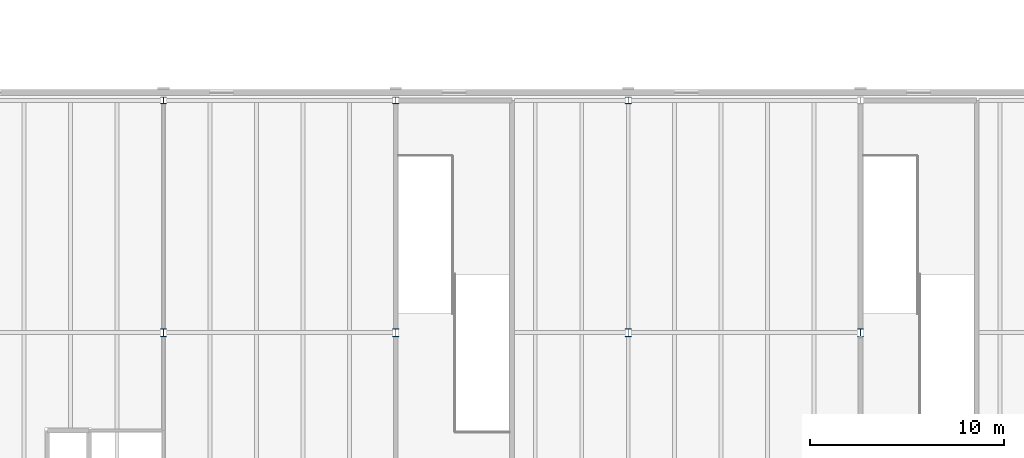
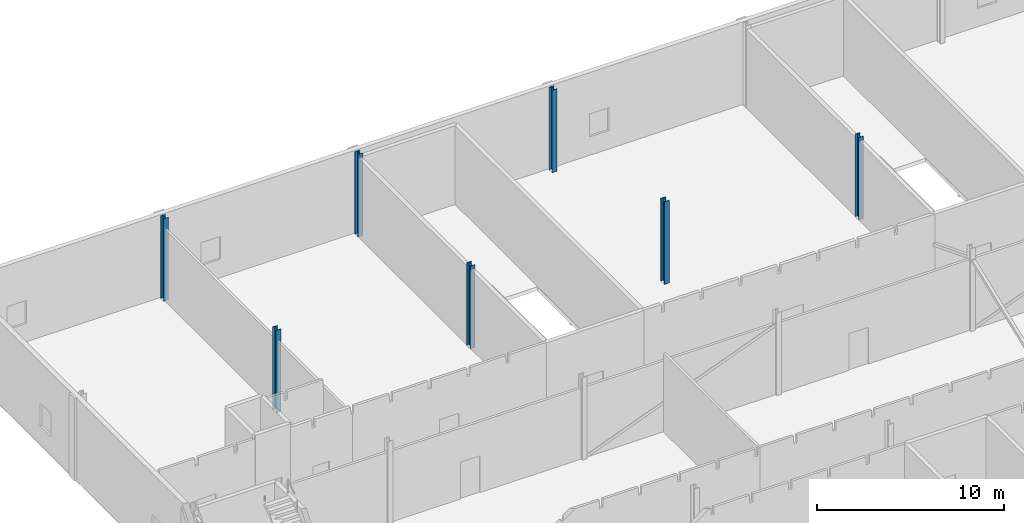
# One storey, part 5 of 321: 7 columns.
"""IFC4 building model written with IfcOpenShell, lengths in metres."""

from ifc_helpers import new_model, si_unit, direction, frame, origin, origin_2d, place, context, subcontext, project, spatial, i_section, extrude, material, material_profile, profile_set, type_object, element, save


model = new_model("IFC4")

# Units and contexts
model_context = context("Model", 3, precision=1e-05, world=origin(), true_north=direction((0.0, 1.0)))
body_context = subcontext(model_context, "Body", "Model", "MODEL_VIEW")
ifc_project = project(units=[si_unit("LENGTHUNIT", "METRE"), si_unit("AREAUNIT", "SQUARE_METRE"), si_unit("VOLUMEUNIT", "CUBIC_METRE"), si_unit("PLANEANGLEUNIT", "RADIAN"), si_unit("MASSUNIT", "GRAM", prefix="KILO")], contexts=[model_context])

# Site, building, storey
site_placement = place(None, origin())
site = spatial("IfcSite", under=ifc_project, at=site_placement, CompositionType="ELEMENT")
building_placement = place(site_placement, origin())
building = spatial("IfcBuilding", under=site, at=building_placement, Name="Ravi Spectrum Wholesale Market", CompositionType="ELEMENT")
storey_placement = place(building_placement, frame((0.0, 0.0, 10.800048828125)))
storey = spatial("IfcBuildingStorey", under=building, at=storey_placement, Name="L02", CompositionType="ELEMENT", Elevation=10.800048828125)

# Columns
ifc_material_1 = material(Name="Steel S355", Category="steel")
ifc_material_profile_1 = material_profile(ifc_material_1, i_section(OverallWidth=0.300048828125, OverallDepth=0.340087890625, WebThickness=0.011962890625, FlangeThickness=0.021484375, at=origin_2d()))
ifc_profile_set_1 = profile_set([ifc_material_profile_1], Name="Steel S355")
column_type_1 = type_object("IfcColumnType", Name="HEB 340 column", PredefinedType="COLUMN", material=ifc_profile_set_1)
for number, where, z_axis, x_axis, name in (
    (1, (210.0, 66.0, 0.0), (0.0, 0.0, 1.0), (1.0, 0.0, 0.0), "CS-COL-L02-010"),
    (2, (222.0, 66.0, 0.0), (0.0, 0.0, 1.0), (1.0, 0.0, 0.0), "CS-COL-L02-015"),
    (3, (234.0, 66.0, 0.0), (0.0, 0.0, 1.0), (1.0, 0.0, 0.0), "CS-COL-L02-020"),
):
    element("IfcColumn", number, at=place(storey_placement, frame(where, z_axis=z_axis, x_axis=x_axis)), inside=storey, type_object=column_type_1, Name=name, PredefinedType="COLUMN", context=body_context, shape_type="SweptSolid", body=[
        extrude(i_section(OverallWidth=0.300048828125, OverallDepth=0.340087890625, WebThickness=0.011962890625, FlangeThickness=0.021484375, at=origin_2d()), origin(), (0.0, 0.0, 1.0), 5.39990234375),
    ])
ifc_material_2 = material(Name="Steel S355", Category="steel")
ifc_material_profile_2 = material_profile(ifc_material_2, i_section(OverallWidth=0.300048828125, OverallDepth=0.39990234375, WebThickness=0.013427734375, FlangeThickness=0.02392578125, at=origin_2d()))
ifc_profile_set_2 = profile_set([ifc_material_profile_2], Name="Steel S355")
column_type_2 = type_object("IfcColumnType", Name="HEB 400 column", PredefinedType="COLUMN", material=ifc_profile_set_2)
for number, where, z_axis, x_axis, name in (
    (4, (210.0, 54.0, 0.0), (0.0, 0.0, 1.0), (1.0, 0.0, 0.0), "CS-COL-L02-009"),
    (5, (222.0, 54.0, 0.0), (0.0, 0.0, 1.0), (1.0, 0.0, 0.0), "CS-COL-L02-014"),
    (6, (234.0, 54.0, 0.0), (0.0, 0.0, 1.0), (1.0, 0.0, 0.0), "CS-COL-L02-019"),
    (7, (246.0, 54.0, 0.0), (0.0, 0.0, 1.0), (1.0, 0.0, 0.0), "CS-COL-L02-024"),
):
    element("IfcColumn", number, at=place(storey_placement, frame(where, z_axis=z_axis, x_axis=x_axis)), inside=storey, type_object=column_type_2, Name=name, PredefinedType="COLUMN", context=body_context, shape_type="SweptSolid", body=[
        extrude(i_section(OverallWidth=0.300048828125, OverallDepth=0.39990234375, WebThickness=0.013427734375, FlangeThickness=0.02392578125, at=origin_2d()), origin(), (0.0, 0.0, 1.0), 5.39990234375),
    ])

save(model, "model.ifc")
